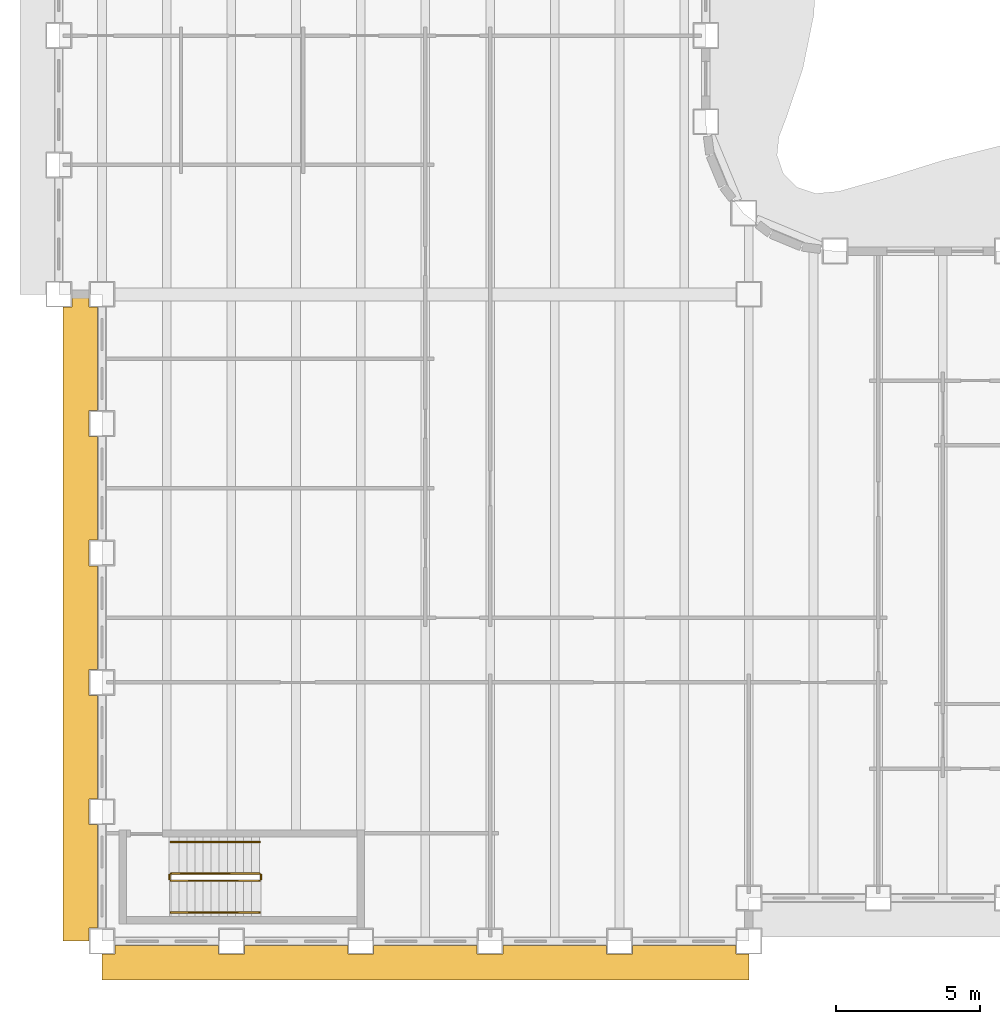
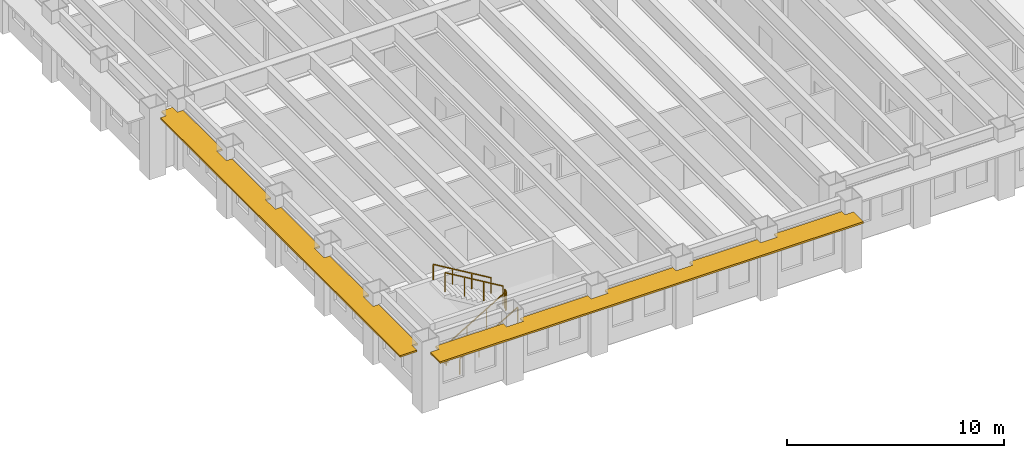
# One storey, part 11 of 16: 6 railings, 2 shading devices.
"""IFC4 building model written with IfcOpenShell, lengths in metres."""

from ifc_helpers import new_model, si_unit, direction, frame, origin, origin_2d, place, context, subcontext, project, spatial, polyline, rectangle, outline, extrude, material, layer, layer_set, type_object, element, save


model = new_model("IFC4")

# Units and contexts
model_context = context("Model", 3, precision=1e-05, world=origin(), true_north=direction((0.0, 1.0)))
body_context = subcontext(model_context, "Body", "Model", "MODEL_VIEW")
ifc_project = project(units=[si_unit("LENGTHUNIT", "METRE"), si_unit("AREAUNIT", "SQUARE_METRE"), si_unit("VOLUMEUNIT", "CUBIC_METRE"), si_unit("PLANEANGLEUNIT", "RADIAN"), si_unit("MASSUNIT", "GRAM", prefix="KILO")], contexts=[model_context])

# Site, building, storey
site_placement = place(None, origin())
site = spatial("IfcSite", under=ifc_project, at=site_placement, CompositionType="ELEMENT")
building_placement = place(site_placement, origin())
building = spatial("IfcBuilding", under=site, at=building_placement, Name="Sennacour Bend Tower", CompositionType="ELEMENT")
storey_placement = place(building_placement, frame((0.0, 0.0, 179.0)))
storey = spatial("IfcBuildingStorey", under=building, at=storey_placement, Name="L41", CompositionType="ELEMENT", Elevation=179.0)

# Railings
ifc_material_1 = material(Name="Stainless steel", Category="steel")
railing_type_1 = type_object("IfcRailingType", Name="RL-GUARD-1100", PredefinedType="GUARDRAIL", material=ifc_material_1)
railing_1_placement = place(storey_placement, frame((2.39990234375, 2.10009765625, 0.166748046875)))
element("IfcRailing", 1, at=railing_1_placement, inside=storey, type_object=railing_type_1, Name="L41 SK1 stair guard 1", PredefinedType="GUARDRAIL", context=body_context, shape_type="SweptSolid", body=[
    extrude(rectangle(XDim=0.048095703125, YDim=0.048095703125, at=origin_2d()), frame((0.0, 0.0, 1.076171875), z_axis=(0.859308565015, 0.0, 0.511457515432), x_axis=(0.0, 1.0, 0.0)), (0.0, 0.0, 1.0), 3.58447265625),
    extrude(rectangle(XDim=0.0419921875, YDim=0.0419921875, at=origin_2d()), origin(), (0.0, 0.0, 1.0), 1.052001953125),
    extrude(rectangle(XDim=0.0419921875, YDim=0.0419921875, at=origin_2d()), frame((1.026611328125, 0.0, 0.611083984375)), (0.0, 0.0, 1.0), 1.052001953125),
    extrude(rectangle(XDim=0.0419921875, YDim=0.0419921875, at=origin_2d()), frame((2.053466796875, 0.0, 1.22216796875)), (0.0, 0.0, 1.0), 1.052001953125),
    extrude(rectangle(XDim=0.0419921875, YDim=0.0419921875, at=origin_2d()), frame((3.080078125, 0.0, 1.833251953125)), (0.0, 0.0, 1.0), 1.052001953125),
])
railing_2_placement = place(storey_placement, frame((5.530029296875, 2.14990234375, 2.0)))
element("IfcRailing", 2, at=railing_2_placement, inside=storey, type_object=railing_type_1, Name="L41 SK1 stair guard 2", PredefinedType="GUARDRAIL", context=body_context, shape_type="SweptSolid", body=[
    extrude(rectangle(XDim=0.048095703125, YDim=0.048095703125, at=origin_2d()), frame((0.0, 0.0, 1.076171875), z_axis=(0.0, 1.0, 0.0), x_axis=(-1.0, 0.0, 0.0)), (0.0, 0.0, 1.0), 0.150146484375),
    extrude(rectangle(XDim=0.0419921875, YDim=0.0419921875, at=origin_2d()), origin(), (0.0, 0.0, 1.0), 1.052001953125),
    extrude(rectangle(XDim=0.0419921875, YDim=0.0419921875, at=origin_2d()), frame((0.0, 0.150146484375, 0.0)), (0.0, 0.0, 1.0), 1.052001953125),
])
railing_3_placement = place(storey_placement, frame((5.47998046875, 2.35009765625, 2.166748046875)))
element("IfcRailing", 3, at=railing_3_placement, inside=storey, type_object=railing_type_1, Name="L41 SK1 stair guard 3", PredefinedType="GUARDRAIL", context=body_context, shape_type="SweptSolid", body=[
    extrude(rectangle(XDim=0.048095703125, YDim=0.048095703125, at=origin_2d()), frame((0.0, 0.0, 1.076171875), z_axis=(-0.859308565015, 0.0, 0.511457515432), x_axis=(0.0, -1.0, 0.0)), (0.0, 0.0, 1.0), 3.58447265625),
    extrude(rectangle(XDim=0.0419921875, YDim=0.0419921875, at=origin_2d()), origin(), (0.0, 0.0, 1.0), 1.052001953125),
    extrude(rectangle(XDim=0.0419921875, YDim=0.0419921875, at=origin_2d()), frame((-1.026611328125, 0.0, 0.611083984375)), (0.0, 0.0, 1.0), 1.052001953125),
    extrude(rectangle(XDim=0.0419921875, YDim=0.0419921875, at=origin_2d()), frame((-2.053466796875, 0.0, 1.22216796875)), (0.0, 0.0, 1.0), 1.052001953125),
    extrude(rectangle(XDim=0.0419921875, YDim=0.0419921875, at=origin_2d()), frame((-3.080078125, 0.0, 1.833251953125)), (0.0, 0.0, 1.0), 1.052001953125),
])
railing_4_placement = place(storey_placement, frame((2.35009765625, 2.14990234375, 0.0)))
element("IfcRailing", 4, at=railing_4_placement, inside=storey, type_object=railing_type_1, Name="L41 SK1 stair guard 4", PredefinedType="GUARDRAIL", context=body_context, shape_type="SweptSolid", body=[
    extrude(rectangle(XDim=0.048095703125, YDim=0.048095703125, at=origin_2d()), frame((0.0, 0.0, 1.076171875), z_axis=(0.0, 1.0, 0.0), x_axis=(-1.0, 0.0, 0.0)), (0.0, 0.0, 1.0), 0.150146484375),
    extrude(rectangle(XDim=0.0419921875, YDim=0.0419921875, at=origin_2d()), origin(), (0.0, 0.0, 1.0), 1.052001953125),
    extrude(rectangle(XDim=0.0419921875, YDim=0.0419921875, at=origin_2d()), frame((0.0, 0.150146484375, 0.0)), (0.0, 0.0, 1.0), 1.052001953125),
])
railing_type_2 = type_object("IfcRailingType", Name="RL-HANDRAIL-900", PredefinedType="HANDRAIL", material=ifc_material_1)
railing_5_placement = place(storey_placement, frame((2.39990234375, 1.0, 0.166748046875)))
element("IfcRailing", 5, at=railing_5_placement, inside=storey, type_object=railing_type_2, Name="L41 SK1 stair handrail 1", PredefinedType="HANDRAIL", context=body_context, shape_type="SweptSolid", body=[
    extrude(rectangle(XDim=0.048095703125, YDim=0.048095703125, at=origin_2d()), frame((0.0, 0.0, 0.8759765625), z_axis=(0.859308565015, 0.0, 0.511457515432), x_axis=(0.0, 1.0, 0.0)), (0.0, 0.0, 1.0), 3.58447265625),
    extrude(rectangle(XDim=0.0419921875, YDim=0.0419921875, at=origin_2d()), origin(), (0.0, 0.0, 1.0), 0.851806640625),
    extrude(rectangle(XDim=0.0419921875, YDim=0.0419921875, at=origin_2d()), frame((1.026611328125, 0.0, 0.611083984375)), (0.0, 0.0, 1.0), 0.851806640625),
    extrude(rectangle(XDim=0.0419921875, YDim=0.0419921875, at=origin_2d()), frame((2.053466796875, 0.0, 1.22216796875)), (0.0, 0.0, 1.0), 0.851806640625),
    extrude(rectangle(XDim=0.0419921875, YDim=0.0419921875, at=origin_2d()), frame((3.080078125, 0.0, 1.833251953125)), (0.0, 0.0, 1.0), 0.851806640625),
])
railing_6_placement = place(storey_placement, frame((5.47998046875, 3.449951171875, 2.166748046875)))
element("IfcRailing", 6, at=railing_6_placement, inside=storey, type_object=railing_type_2, Name="L41 SK1 stair handrail 2", PredefinedType="HANDRAIL", context=body_context, shape_type="SweptSolid", body=[
    extrude(rectangle(XDim=0.048095703125, YDim=0.048095703125, at=origin_2d()), frame((0.0, 0.0, 0.8759765625), z_axis=(-0.859308565015, 0.0, 0.511457515432), x_axis=(0.0, -1.0, 0.0)), (0.0, 0.0, 1.0), 3.58447265625),
    extrude(rectangle(XDim=0.0419921875, YDim=0.0419921875, at=origin_2d()), origin(), (0.0, 0.0, 1.0), 0.851806640625),
    extrude(rectangle(XDim=0.0419921875, YDim=0.0419921875, at=origin_2d()), frame((-1.026611328125, 0.0, 0.611083984375)), (0.0, 0.0, 1.0), 0.851806640625),
    extrude(rectangle(XDim=0.0419921875, YDim=0.0419921875, at=origin_2d()), frame((-2.053466796875, 0.0, 1.22216796875)), (0.0, 0.0, 1.0), 0.851806640625),
    extrude(rectangle(XDim=0.0419921875, YDim=0.0419921875, at=origin_2d()), frame((-3.080078125, 0.0, 1.833251953125)), (0.0, 0.0, 1.0), 0.851806640625),
])

# Shading devices
ifc_material_2 = material(Name="Bronze anodised aluminium", Category="aluminium")
ifc_layer = layer(ifc_material_2, 0.10009765625, Name="Bronze anodised aluminium", Category="aluminium")
ifc_layer_set = layer_set([ifc_layer], Name="Bronze anodised aluminium")
shading_device_type = type_object("IfcShadingDeviceType", Name="SUNSHADE BAND STRAIGHT", PredefinedType="USERDEFINED", material=ifc_layer_set)
shading_device_1_placement = place(storey_placement, frame((0.0, 0.0, 3.049072265625)))
element("IfcShadingDevice", 7, at=shading_device_1_placement, inside=storey, type_object=shading_device_type, Name="Sunshade band L41 K outer face", ObjectType="SUNSHADE", PredefinedType="USERDEFINED", context=body_context, shape_type="SweptSolid", body=[
    extrude(outline(polyline([(4.050048828125, -0.14990234375), (4.050048828125, -0.449951171875), (4.949951171875, -0.449951171875), (4.949951171875, -0.14990234375), (8.550048828125, -0.14990234375), (8.550048828125, -0.449951171875), (9.449951171875, -0.449951171875), (9.449951171875, -0.14990234375), (13.050048828125, -0.14990234375), (13.050048828125, -0.449951171875), (13.949951171875, -0.449951171875), (13.949951171875, -0.14990234375), (17.550048828125, -0.14990234375), (17.550048828125, -0.449951171875), (18.449951171875, -0.449951171875), (18.449951171875, -0.14990234375), (22.050048828125, -0.14990234375), (22.050048828125, -0.449951171875), (22.5, -0.449951171875), (22.5, -1.35009765625), (0.0, -1.35009765625), (0.0, -0.449951171875), (0.449951171875, -0.449951171875), (0.449951171875, -0.14990234375), (4.050048828125, -0.14990234375)])), origin(), (0.0, 0.0, 1.0), 0.099853515625),
])
shading_device_2_placement = place(storey_placement, frame((0.0, 0.0, 3.049072265625)))
element("IfcShadingDevice", 8, at=shading_device_2_placement, inside=storey, type_object=shading_device_type, Name="Sunshade band L41 K outer face", ObjectType="SUNSHADE", PredefinedType="USERDEFINED", context=body_context, shape_type="SweptSolid", body=[
    extrude(outline(polyline([(-0.14990234375, 18.449951171875), (-0.449951171875, 18.449951171875), (-0.449951171875, 17.550048828125), (-0.14990234375, 17.550048828125), (-0.14990234375, 13.949951171875), (-0.449951171875, 13.949951171875), (-0.449951171875, 13.050048828125), (-0.14990234375, 13.050048828125), (-0.14990234375, 9.449951171875), (-0.449951171875, 9.449951171875), (-0.449951171875, 8.550048828125), (-0.14990234375, 8.550048828125), (-0.14990234375, 4.949951171875), (-0.449951171875, 4.949951171875), (-0.449951171875, 4.050048828125), (-0.14990234375, 4.050048828125), (-0.14990234375, 0.449951171875), (-0.449951171875, 0.449951171875), (-0.449951171875, 0.0), (-1.35009765625, 0.0), (-1.35009765625, 22.050048828125), (-1.050048828125, 22.050048828125), (-1.050048828125, 22.5), (-0.449951171875, 22.5), (-0.449951171875, 22.050048828125), (-0.14990234375, 22.050048828125), (-0.14990234375, 18.449951171875)])), origin(), (0.0, 0.0, 1.0), 0.099853515625),
])

save(model, "model.ifc")
